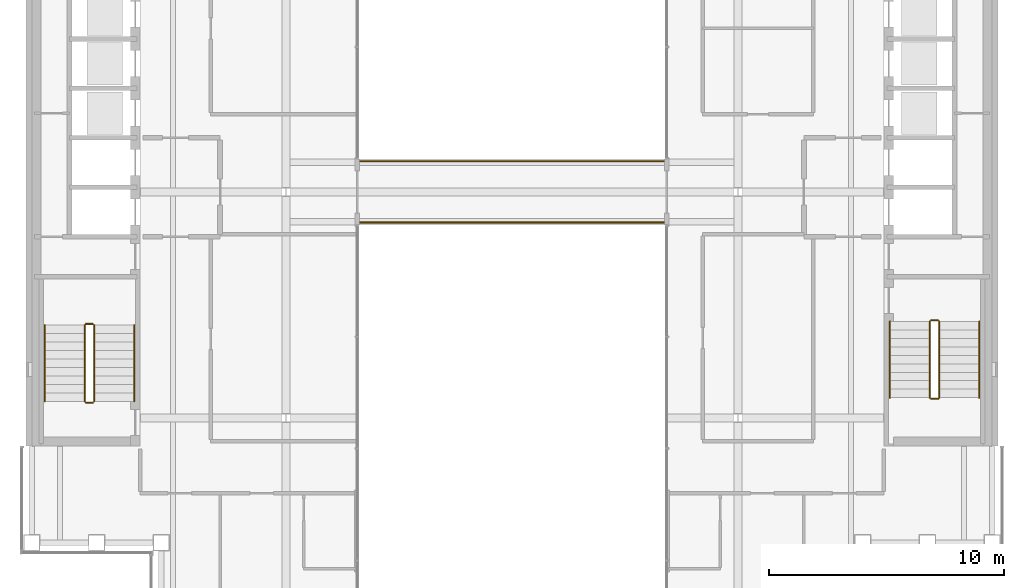
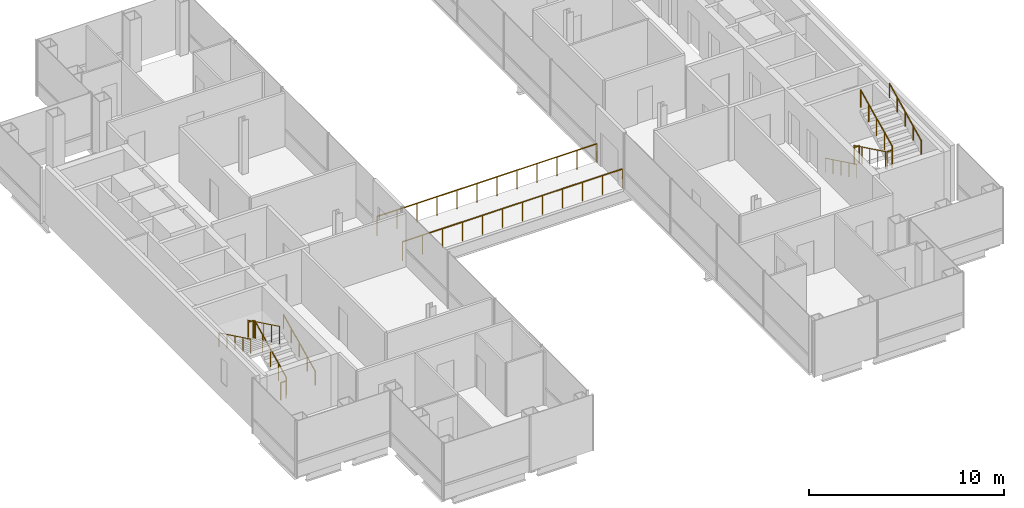
# One storey, part 14 of 15: 14 railings.
"""IFC4 building model written with IfcOpenShell, lengths in metres."""

from ifc_helpers import new_model, si_unit, direction, frame, origin, origin_2d, place, context, subcontext, project, spatial, circle, extrude, material, type_object, element, save


model = new_model("IFC4")

# Units and contexts
model_context = context("Model", 3, precision=1e-05, world=origin(), true_north=direction((0.0, 1.0)))
body_context = subcontext(model_context, "Body", "Model", "MODEL_VIEW")
ifc_project = project(units=[si_unit("LENGTHUNIT", "METRE"), si_unit("AREAUNIT", "SQUARE_METRE"), si_unit("VOLUMEUNIT", "CUBIC_METRE"), si_unit("PLANEANGLEUNIT", "RADIAN"), si_unit("MASSUNIT", "GRAM", prefix="KILO")], contexts=[model_context])

# Site, building, storey
site_placement = place(None, origin())
site = spatial("IfcSite", under=ifc_project, at=site_placement, CompositionType="ELEMENT")
building_placement = place(site_placement, origin())
building = spatial("IfcBuilding", under=site, at=building_placement, Name="Cobrizo Arcos Hotel Tower", CompositionType="ELEMENT")
storey_placement = place(building_placement, frame((0.0, 0.0, 222.5)))
storey = spatial("IfcBuildingStorey", under=building, at=storey_placement, Name="L58", CompositionType="ELEMENT", Elevation=222.5)

# Railings
ifc_material = material(Name="Stainless steel railing", Category="steel")
railing_type_1 = type_object("IfcRailingType", Name="Sky bridge guard 1200", PredefinedType="GUARDRAIL", material=ifc_material)
for number, where, name in (
    (1, (-6.5, 1.300048828125, 0.0), "Sky bridge north guard"),
    (2, (-6.5, -1.300048828125, 0.0), "Sky bridge south guard"),
):
    element("IfcRailing", number, at=place(storey_placement, frame(where)), inside=storey, type_object=railing_type_1, Name=name, PredefinedType="GUARDRAIL", context=body_context, shape_type="SweptSolid", body=[
        extrude(circle(Radius=0.02392578125, at=origin_2d()), frame((0.0, 0.0, 1.17578125), z_axis=(1.0, 0.0, 0.0), x_axis=(0.0, 1.0, 0.0)), (0.0, 0.0, 1.0), 13.0),
        extrude(circle(Radius=0.02099609375, at=origin_2d()), origin(), (0.0, 0.0, 1.0), 1.15185546875),
        extrude(circle(Radius=0.02099609375, at=origin_2d()), frame((1.181884765625, 0.0, 0.0)), (0.0, 0.0, 1.0), 1.15185546875),
        extrude(circle(Radius=0.02099609375, at=origin_2d()), frame((2.363525390625, 0.0, 0.0)), (0.0, 0.0, 1.0), 1.15185546875),
        extrude(circle(Radius=0.02099609375, at=origin_2d()), frame((3.54541015625, 0.0, 0.0)), (0.0, 0.0, 1.0), 1.15185546875),
        extrude(circle(Radius=0.02099609375, at=origin_2d()), frame((4.727294921875, 0.0, 0.0)), (0.0, 0.0, 1.0), 1.15185546875),
        extrude(circle(Radius=0.02099609375, at=origin_2d()), frame((5.9091796875, 0.0, 0.0)), (0.0, 0.0, 1.0), 1.15185546875),
        extrude(circle(Radius=0.02099609375, at=origin_2d()), frame((7.0908203125, 0.0, 0.0)), (0.0, 0.0, 1.0), 1.15185546875),
        extrude(circle(Radius=0.02099609375, at=origin_2d()), frame((8.272705078125, 0.0, 0.0)), (0.0, 0.0, 1.0), 1.15185546875),
        extrude(circle(Radius=0.02099609375, at=origin_2d()), frame((9.45458984375, 0.0, 0.0)), (0.0, 0.0, 1.0), 1.15185546875),
        extrude(circle(Radius=0.02099609375, at=origin_2d()), frame((10.636474609375, 0.0, 0.0)), (0.0, 0.0, 1.0), 1.15185546875),
        extrude(circle(Radius=0.02099609375, at=origin_2d()), frame((11.818115234375, 0.0, 0.0)), (0.0, 0.0, 1.0), 1.15185546875),
        extrude(circle(Radius=0.02099609375, at=origin_2d()), frame((13.0, 0.0, 0.0)), (0.0, 0.0, 1.0), 1.15185546875),
    ])
railing_type_2 = type_object("IfcRailingType", Name="Stair guard 1100", PredefinedType="GUARDRAIL", material=ifc_material)
railing_1_placement = place(storey_placement, frame((-17.75, -8.89990234375, 0.175048828125)))
element("IfcRailing", 3, at=railing_1_placement, inside=storey, type_object=railing_type_2, Name="L58 ST-W stair guard 1", PredefinedType="GUARDRAIL", context=body_context, shape_type="SweptSolid", body=[
    extrude(circle(Radius=0.02392578125, at=origin_2d()), frame((0.0, 0.0, 1.076171875), z_axis=(0.0, 0.899372665325, 0.437182809435), x_axis=(-1.0, 0.0, 0.0)), (0.0, 0.0, 1.0), 3.6025390625),
    extrude(circle(Radius=0.02099609375, at=origin_2d()), origin(), (0.0, 0.0, 1.0), 1.052001953125),
    extrude(circle(Radius=0.02099609375, at=origin_2d()), frame((0.0, 0.81005859375, 0.393798828125)), (0.0, 0.0, 1.0), 1.052001953125),
    extrude(circle(Radius=0.02099609375, at=origin_2d()), frame((0.0, 1.6201171875, 0.78759765625)), (0.0, 0.0, 1.0), 1.052001953125),
    extrude(circle(Radius=0.02099609375, at=origin_2d()), frame((0.0, 2.429931640625, 1.18115234375)), (0.0, 0.0, 1.0), 1.052001953125),
    extrude(circle(Radius=0.02099609375, at=origin_2d()), frame((0.0, 3.239990234375, 1.574951171875)), (0.0, 0.0, 1.0), 1.052001953125),
])
railing_2_placement = place(storey_placement, frame((-17.800048828125, -5.610107421875, 1.75)))
element("IfcRailing", 4, at=railing_2_placement, inside=storey, type_object=railing_type_2, Name="L58 ST-W stair guard 2", PredefinedType="GUARDRAIL", context=body_context, shape_type="SweptSolid", body=[
    extrude(circle(Radius=0.02392578125, at=origin_2d()), frame((0.0, 0.0, 1.076171875), z_axis=(-1.0, 0.0, 0.0), x_axis=(0.0, -1.0, 0.0)), (0.0, 0.0, 1.0), 0.300048828125),
    extrude(circle(Radius=0.02099609375, at=origin_2d()), origin(), (0.0, 0.0, 1.0), 1.052001953125),
    extrude(circle(Radius=0.02099609375, at=origin_2d()), frame((-0.300048828125, 0.0, 0.0)), (0.0, 0.0, 1.0), 1.052001953125),
])
railing_3_placement = place(storey_placement, frame((-18.14990234375, -5.659912109375, 1.925048828125)))
element("IfcRailing", 5, at=railing_3_placement, inside=storey, type_object=railing_type_2, Name="L58 ST-W stair guard 3", PredefinedType="GUARDRAIL", context=body_context, shape_type="SweptSolid", body=[
    extrude(circle(Radius=0.02392578125, at=origin_2d()), frame((0.0, 0.0, 1.076171875), z_axis=(0.0, -0.899372665325, 0.437182809435), x_axis=(1.0, 0.0, 0.0)), (0.0, 0.0, 1.0), 3.6025390625),
    extrude(circle(Radius=0.02099609375, at=origin_2d()), origin(), (0.0, 0.0, 1.0), 1.052001953125),
    extrude(circle(Radius=0.02099609375, at=origin_2d()), frame((0.0, -0.81005859375, 0.393798828125)), (0.0, 0.0, 1.0), 1.052001953125),
    extrude(circle(Radius=0.02099609375, at=origin_2d()), frame((0.0, -1.6201171875, 0.78759765625)), (0.0, 0.0, 1.0), 1.052001953125),
    extrude(circle(Radius=0.02099609375, at=origin_2d()), frame((0.0, -2.429931640625, 1.18115234375)), (0.0, 0.0, 1.0), 1.052001953125),
    extrude(circle(Radius=0.02099609375, at=origin_2d()), frame((0.0, -3.239990234375, 1.574951171875)), (0.0, 0.0, 1.0), 1.052001953125),
])
railing_4_placement = place(storey_placement, frame((-17.800048828125, -8.949951171875, 0.0)))
element("IfcRailing", 6, at=railing_4_placement, inside=storey, type_object=railing_type_2, Name="L58 ST-W stair guard 4", PredefinedType="GUARDRAIL", context=body_context, shape_type="SweptSolid", body=[
    extrude(circle(Radius=0.02392578125, at=origin_2d()), frame((0.0, 0.0, 1.076171875), z_axis=(-1.0, 0.0, 0.0), x_axis=(0.0, -1.0, 0.0)), (0.0, 0.0, 1.0), 0.300048828125),
    extrude(circle(Radius=0.02099609375, at=origin_2d()), origin(), (0.0, 0.0, 1.0), 1.052001953125),
    extrude(circle(Radius=0.02099609375, at=origin_2d()), frame((-0.300048828125, 0.0, 0.0)), (0.0, 0.0, 1.0), 1.052001953125),
])
railing_5_placement = place(storey_placement, frame((17.75, -5.5, 0.175048828125)))
element("IfcRailing", 7, at=railing_5_placement, inside=storey, type_object=railing_type_2, Name="L58 ST-E stair guard 1", PredefinedType="GUARDRAIL", context=body_context, shape_type="SweptSolid", body=[
    extrude(circle(Radius=0.02392578125, at=origin_2d()), frame((0.0, 0.0, 1.076171875), z_axis=(0.0, -0.899372665325, 0.437182809435), x_axis=(1.0, 0.0, 0.0)), (0.0, 0.0, 1.0), 3.6025390625),
    extrude(circle(Radius=0.02099609375, at=origin_2d()), origin(), (0.0, 0.0, 1.0), 1.052001953125),
    extrude(circle(Radius=0.02099609375, at=origin_2d()), frame((0.0, -0.81005859375, 0.393798828125)), (0.0, 0.0, 1.0), 1.052001953125),
    extrude(circle(Radius=0.02099609375, at=origin_2d()), frame((0.0, -1.6201171875, 0.78759765625)), (0.0, 0.0, 1.0), 1.052001953125),
    extrude(circle(Radius=0.02099609375, at=origin_2d()), frame((0.0, -2.429931640625, 1.18115234375)), (0.0, 0.0, 1.0), 1.052001953125),
    extrude(circle(Radius=0.02099609375, at=origin_2d()), frame((0.0, -3.239990234375, 1.574951171875)), (0.0, 0.0, 1.0), 1.052001953125),
])
railing_6_placement = place(storey_placement, frame((17.800048828125, -8.7900390625, 1.75)))
element("IfcRailing", 8, at=railing_6_placement, inside=storey, type_object=railing_type_2, Name="L58 ST-E stair guard 2", PredefinedType="GUARDRAIL", context=body_context, shape_type="SweptSolid", body=[
    extrude(circle(Radius=0.02392578125, at=origin_2d()), frame((0.0, 0.0, 1.076171875), z_axis=(1.0, 0.0, 0.0), x_axis=(0.0, 1.0, 0.0)), (0.0, 0.0, 1.0), 0.300048828125),
    extrude(circle(Radius=0.02099609375, at=origin_2d()), origin(), (0.0, 0.0, 1.0), 1.052001953125),
    extrude(circle(Radius=0.02099609375, at=origin_2d()), frame((0.300048828125, 0.0, 0.0)), (0.0, 0.0, 1.0), 1.052001953125),
])
railing_7_placement = place(storey_placement, frame((18.14990234375, -8.739990234375, 1.925048828125)))
element("IfcRailing", 9, at=railing_7_placement, inside=storey, type_object=railing_type_2, Name="L58 ST-E stair guard 3", PredefinedType="GUARDRAIL", context=body_context, shape_type="SweptSolid", body=[
    extrude(circle(Radius=0.02392578125, at=origin_2d()), frame((0.0, 0.0, 1.076171875), z_axis=(0.0, 0.899372665325, 0.437182809435), x_axis=(-1.0, 0.0, 0.0)), (0.0, 0.0, 1.0), 3.6025390625),
    extrude(circle(Radius=0.02099609375, at=origin_2d()), origin(), (0.0, 0.0, 1.0), 1.052001953125),
    extrude(circle(Radius=0.02099609375, at=origin_2d()), frame((0.0, 0.81005859375, 0.393798828125)), (0.0, 0.0, 1.0), 1.052001953125),
    extrude(circle(Radius=0.02099609375, at=origin_2d()), frame((0.0, 1.6201171875, 0.78759765625)), (0.0, 0.0, 1.0), 1.052001953125),
    extrude(circle(Radius=0.02099609375, at=origin_2d()), frame((0.0, 2.429931640625, 1.18115234375)), (0.0, 0.0, 1.0), 1.052001953125),
    extrude(circle(Radius=0.02099609375, at=origin_2d()), frame((0.0, 3.239990234375, 1.574951171875)), (0.0, 0.0, 1.0), 1.052001953125),
])
railing_8_placement = place(storey_placement, frame((17.800048828125, -5.449951171875, 0.0)))
element("IfcRailing", 10, at=railing_8_placement, inside=storey, type_object=railing_type_2, Name="L58 ST-E stair guard 4", PredefinedType="GUARDRAIL", context=body_context, shape_type="SweptSolid", body=[
    extrude(circle(Radius=0.02392578125, at=origin_2d()), frame((0.0, 0.0, 1.076171875), z_axis=(1.0, 0.0, 0.0), x_axis=(0.0, 1.0, 0.0)), (0.0, 0.0, 1.0), 0.300048828125),
    extrude(circle(Radius=0.02099609375, at=origin_2d()), origin(), (0.0, 0.0, 1.0), 1.052001953125),
    extrude(circle(Radius=0.02099609375, at=origin_2d()), frame((0.300048828125, 0.0, 0.0)), (0.0, 0.0, 1.0), 1.052001953125),
])
railing_type_3 = type_object("IfcRailingType", Name="Stair handrail", PredefinedType="HANDRAIL", material=ifc_material)
railing_9_placement = place(storey_placement, frame((-16.050048828125, -8.89990234375, 0.175048828125)))
element("IfcRailing", 11, at=railing_9_placement, inside=storey, type_object=railing_type_3, Name="L58 ST-W stair handrail 1", PredefinedType="HANDRAIL", context=body_context, shape_type="SweptSolid", body=[
    extrude(circle(Radius=0.02392578125, at=origin_2d()), frame((0.0, 0.0, 0.8759765625), z_axis=(0.0, 0.899372665325, 0.437182809435), x_axis=(-1.0, 0.0, 0.0)), (0.0, 0.0, 1.0), 3.6025390625),
    extrude(circle(Radius=0.02099609375, at=origin_2d()), origin(), (0.0, 0.0, 1.0), 0.851806640625),
    extrude(circle(Radius=0.02099609375, at=origin_2d()), frame((0.0, 0.81005859375, 0.393798828125)), (0.0, 0.0, 1.0), 0.851806640625),
    extrude(circle(Radius=0.02099609375, at=origin_2d()), frame((0.0, 1.6201171875, 0.78759765625)), (0.0, 0.0, 1.0), 0.851806640625),
    extrude(circle(Radius=0.02099609375, at=origin_2d()), frame((0.0, 2.429931640625, 1.18115234375)), (0.0, 0.0, 1.0), 0.851806640625),
    extrude(circle(Radius=0.02099609375, at=origin_2d()), frame((0.0, 3.239990234375, 1.574951171875)), (0.0, 0.0, 1.0), 0.851806640625),
])
for number, where, name in (
    (12, (-19.85009765625, -5.659912109375, 1.925048828125), "L58 ST-W stair handrail 2"),
    (13, (16.050048828125, -5.5, 0.175048828125), "L58 ST-E stair handrail 1"),
):
    element("IfcRailing", number, at=place(storey_placement, frame(where)), inside=storey, type_object=railing_type_3, Name=name, PredefinedType="HANDRAIL", context=body_context, shape_type="SweptSolid", body=[
        extrude(circle(Radius=0.02392578125, at=origin_2d()), frame((0.0, 0.0, 0.8759765625), z_axis=(0.0, -0.899372665325, 0.437182809435), x_axis=(1.0, 0.0, 0.0)), (0.0, 0.0, 1.0), 3.6025390625),
        extrude(circle(Radius=0.02099609375, at=origin_2d()), origin(), (0.0, 0.0, 1.0), 0.851806640625),
        extrude(circle(Radius=0.02099609375, at=origin_2d()), frame((0.0, -0.81005859375, 0.393798828125)), (0.0, 0.0, 1.0), 0.851806640625),
        extrude(circle(Radius=0.02099609375, at=origin_2d()), frame((0.0, -1.6201171875, 0.78759765625)), (0.0, 0.0, 1.0), 0.851806640625),
        extrude(circle(Radius=0.02099609375, at=origin_2d()), frame((0.0, -2.429931640625, 1.18115234375)), (0.0, 0.0, 1.0), 0.851806640625),
        extrude(circle(Radius=0.02099609375, at=origin_2d()), frame((0.0, -3.239990234375, 1.574951171875)), (0.0, 0.0, 1.0), 0.851806640625),
    ])
railing_10_placement = place(storey_placement, frame((19.85009765625, -8.739990234375, 1.925048828125)))
element("IfcRailing", 14, at=railing_10_placement, inside=storey, type_object=railing_type_3, Name="L58 ST-E stair handrail 2", PredefinedType="HANDRAIL", context=body_context, shape_type="SweptSolid", body=[
    extrude(circle(Radius=0.02392578125, at=origin_2d()), frame((0.0, 0.0, 0.8759765625), z_axis=(0.0, 0.899372665325, 0.437182809435), x_axis=(-1.0, 0.0, 0.0)), (0.0, 0.0, 1.0), 3.6025390625),
    extrude(circle(Radius=0.02099609375, at=origin_2d()), origin(), (0.0, 0.0, 1.0), 0.851806640625),
    extrude(circle(Radius=0.02099609375, at=origin_2d()), frame((0.0, 0.81005859375, 0.393798828125)), (0.0, 0.0, 1.0), 0.851806640625),
    extrude(circle(Radius=0.02099609375, at=origin_2d()), frame((0.0, 1.6201171875, 0.78759765625)), (0.0, 0.0, 1.0), 0.851806640625),
    extrude(circle(Radius=0.02099609375, at=origin_2d()), frame((0.0, 2.429931640625, 1.18115234375)), (0.0, 0.0, 1.0), 0.851806640625),
    extrude(circle(Radius=0.02099609375, at=origin_2d()), frame((0.0, 3.239990234375, 1.574951171875)), (0.0, 0.0, 1.0), 0.851806640625),
])

save(model, "model.ifc")
